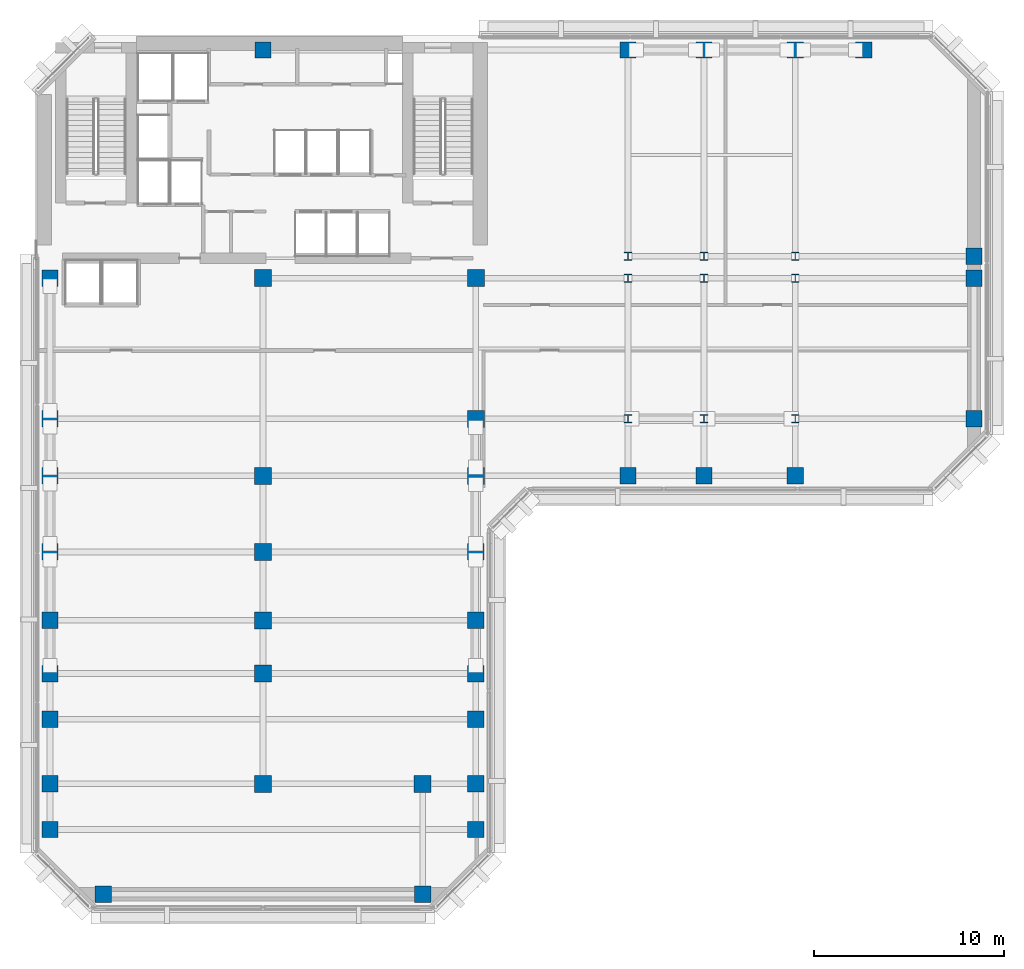
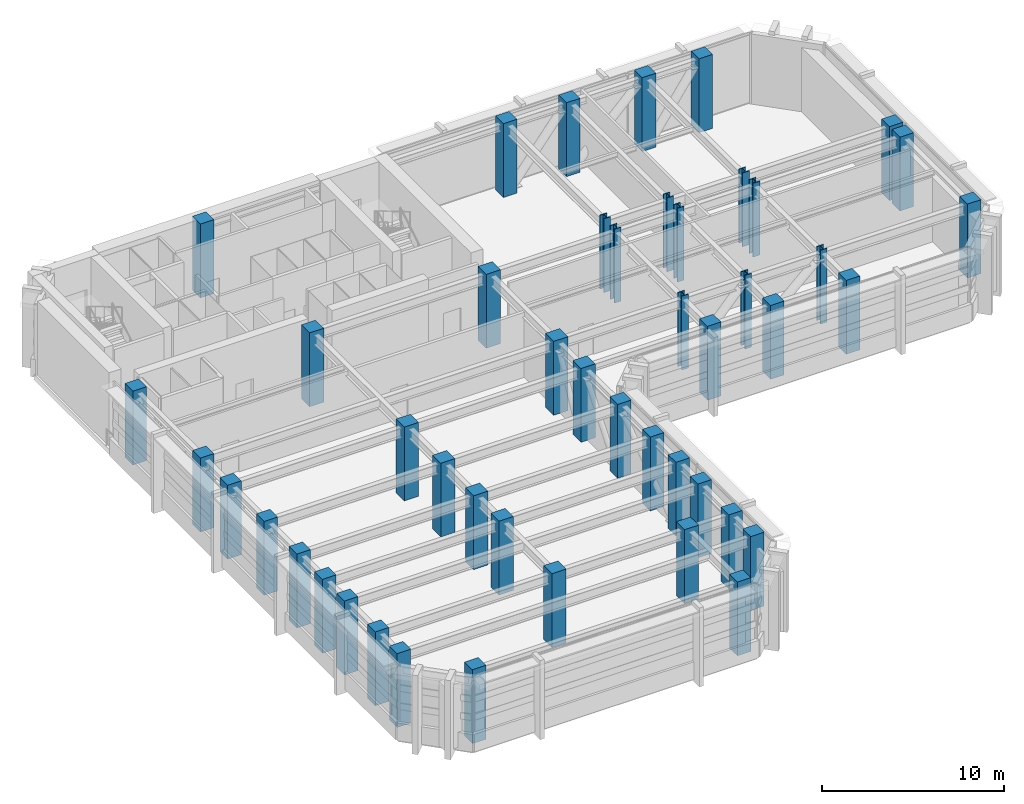
# One storey, part 1 of 12: 47 columns.
"""IFC4 building model written with IfcOpenShell, lengths in metres."""

import ifcopenshell
import ifcopenshell.guid

model = None  # the IFC model being written
_history = None  # IfcOwnerHistory: only IFC2X3 demands one
_inside = {}  # id of a spatial element -> (the spatial element, [elements in it])
_under = {}  # id of a project, library or spatial element -> (it, [spatial elements below it])
_declared = {}  # id of a project -> (the project, [libraries it declares])
_typed = {}  # id of a type object -> (the type object, [elements of that type])
_made_of = {}  # id of a material, layer set ... -> (it, [elements and type objects made of it])


def new_model(schema):
    """Start an empty IFC model of exactly this schema.

    Asked for "IFC4X3", IfcOpenShell would pick the latest addendum, in which some entities
    have other attributes; the version numbers below select the first issue.
    IFC2X3 requires an IfcOwnerHistory on every rooted entity: one is made here for all.
    """
    global model, _history
    if schema == "IFC4X3":
        model = ifcopenshell.file(schema_version=(4, 3, 0, 0))
    else:
        model = ifcopenshell.file(schema=schema)
    _inside.clear()
    _under.clear()
    _declared.clear()
    _typed.clear()
    _made_of.clear()
    _history = None
    if model.schema == "IFC2X3":
        org = make("IfcOrganization", Name="unknown")
        user = make(
            "IfcPersonAndOrganization",
            ThePerson=make("IfcPerson", FamilyName="unknown"),
            TheOrganization=org,
        )
        app = make(
            "IfcApplication",
            ApplicationDeveloper=org,
            Version="unknown",
            ApplicationFullName="unknown",
            ApplicationIdentifier="unknown",
        )
        _history = make(
            "IfcOwnerHistory",
            OwningUser=user,
            OwningApplication=app,
            ChangeAction="ADDED",
            CreationDate=0,
        )
    return model


def make(cls, **values):
    """One entity of the class cls with the attributes given. An attribute that is None is left unset."""
    return model.create_entity(
        cls, **{name: value for name, value in values.items() if value is not None}
    )


def rooted(cls, **values):
    """An entity with a GlobalId (a new one), such as an element, a storey or a relation."""
    return make(cls, GlobalId=ifcopenshell.guid.new(), OwnerHistory=_history, **values)


def si_unit(unit_type, name, prefix=None):
    """IfcSIUnit, for example si_unit("LENGTHUNIT", "METRE", prefix="MILLI")."""
    return make("IfcSIUnit", UnitType=unit_type, Prefix=prefix, Name=name)


def assignment(units):
    """IfcUnitAssignment: the units of a project."""
    return None if units is None else make("IfcUnitAssignment", Units=units)


def point(xyz):
    """IfcCartesianPoint."""
    return None if xyz is None else make("IfcCartesianPoint", Coordinates=xyz)


def direction(xyz):
    """IfcDirection."""
    return None if xyz is None else make("IfcDirection", DirectionRatios=xyz)


def frame(location, z_axis=None, x_axis=None):
    """IfcAxis2Placement3D, a coordinate frame: its origin and axes. An axis left out is left unset."""
    return make(
        "IfcAxis2Placement3D",
        Location=point(location),
        Axis=direction(z_axis),
        RefDirection=direction(x_axis),
    )


def frame_2d(location, x_axis=None):
    """IfcAxis2Placement2D, a coordinate frame in the plane: its origin and x axis."""
    return make(
        "IfcAxis2Placement2D", Location=point(location), RefDirection=direction(x_axis)
    )


def origin():
    """The frame at (0, 0, 0) with its axes left unset."""
    return frame((0.0, 0.0, 0.0))


def origin_2d():
    """The frame at (0, 0) in the plane with its x axis left unset."""
    return frame_2d((0.0, 0.0))


def place(relative_to, where):
    """IfcLocalPlacement: puts the frame where relative to a parent placement (None: the world)."""
    return make(
        "IfcLocalPlacement", PlacementRelTo=relative_to, RelativePlacement=where
    )


def context(
    kind, dimensions, precision=None, world=None, true_north=None, identifier=None
):
    """IfcGeometricRepresentationContext, for example the 3D "Model" context."""
    return make(
        "IfcGeometricRepresentationContext",
        ContextIdentifier=identifier,
        ContextType=kind,
        CoordinateSpaceDimension=dimensions,
        Precision=precision,
        WorldCoordinateSystem=world,
        TrueNorth=true_north,
    )


def subcontext(parent, identifier, kind, view, scale=None):
    """IfcGeometricRepresentationSubContext, for example "Body" below "Model"."""
    return make(
        "IfcGeometricRepresentationSubContext",
        ContextIdentifier=identifier,
        ContextType=kind,
        ParentContext=parent,
        TargetScale=scale,
        TargetView=view,
    )


def project(units=None, contexts=None):
    """IfcProject with its units and contexts."""
    return rooted(
        "IfcProject",
        Name="project",
        RepresentationContexts=contexts,
        UnitsInContext=assignment(units),
    )


def spatial(cls, under=None, at=None, **own):
    """A site, building, storey or space (cls), placed at a placement, below another one or the project."""
    s = rooted(cls, ObjectPlacement=at, **own)
    if under is not None:
        _under.setdefault(under.id(), (under, []))[1].append(s)
    return s


def profile(cls, at=None, kind="AREA", **sizes):
    """A parametric profile (cls). Its sizes go by their IFC names, for example OverallWidth=200.0."""
    return make(cls, ProfileType=kind, Position=at, **sizes)


def rectangle(**sizes):
    """IfcRectangleProfileDef."""
    return profile("IfcRectangleProfileDef", **sizes)


def i_section(**sizes):
    """IfcIShapeProfileDef."""
    return profile("IfcIShapeProfileDef", **sizes)


def extrude(swept, where, along, depth):
    """IfcExtrudedAreaSolid: the profile swept, set in the frame where, extruded along a direction by depth."""
    return make(
        "IfcExtrudedAreaSolid",
        SweptArea=swept,
        Position=where,
        ExtrudedDirection=direction(along),
        Depth=depth,
    )


def shape(context_of_items, identifier, shape_type, items):
    """IfcShapeRepresentation: the items that make up one representation, for example the "Body"."""
    return make(
        "IfcShapeRepresentation",
        ContextOfItems=context_of_items,
        RepresentationIdentifier=identifier,
        RepresentationType=shape_type,
        Items=items,
    )


def material(Name=None, Category=None):
    """IfcMaterial."""
    return make("IfcMaterial", Name=Name, Category=Category)


def material_profile(
    of_material, cross_section, Name=None, Category=None, Priority=None
):
    """IfcMaterialProfile: a cross section and its material."""
    return make(
        "IfcMaterialProfile",
        Name=Name,
        Material=of_material,
        Profile=cross_section,
        Priority=Priority,
        Category=Category,
    )


def profile_set(profiles, Name=None, composite=None):
    """IfcMaterialProfileSet."""
    return make(
        "IfcMaterialProfileSet",
        Name=Name,
        MaterialProfiles=profiles,
        CompositeProfile=composite,
    )


def made_of(thing, what):
    """Note that an element or type object is made of a material, layer set ...; save() writes the relation."""
    if what is not None:
        _made_of.setdefault(what.id(), (what, []))[1].append(thing)
    return thing


def type_object(cls, material=None, **own):
    """A type object (cls), such as IfcWallType, which elements share."""
    return made_of(rooted(cls, **own), material)


def element(
    cls,
    number,
    at=None,
    inside=None,
    cuts=None,
    type_object=None,
    material=None,
    context=None,
    identifier="Body",
    shape_type=None,
    held_by="IfcProductDefinitionShape",
    body=None,
    shapes=None,
    **own,
):
    """One element of the class cls, such as IfcWall. Its Tag is "e" and its number.

    at: its placement. inside: the storey or other place that contains it. cuts: it is an
    opening in that element (IfcRelVoidsElement). A single representation is given by context,
    identifier, shape_type and body (its items); several are given by shapes. held_by: the class
    of the entity that holds the representations. save() writes the other relations.
    """
    e = rooted(cls, Tag="e%d" % number, ObjectPlacement=at, **own)
    if body is not None:
        shapes = [shape(context, identifier, shape_type, body)]
    if shapes is not None:
        e.Representation = make(held_by, Representations=shapes)
    if inside is not None:
        _inside.setdefault(inside.id(), (inside, []))[1].append(e)
    if cuts is not None:
        rooted(
            "IfcRelVoidsElement", RelatingBuildingElement=cuts, RelatedOpeningElement=e
        )
    if type_object is not None:
        _typed.setdefault(type_object.id(), (type_object, []))[1].append(e)
    return made_of(e, material)


def aggregate(whole, parts):
    """IfcRelAggregates: a whole, such as a stair, and the parts it consists of."""
    return rooted("IfcRelAggregates", RelatingObject=whole, RelatedObjects=parts)


def save(model, path):
    """Write the relations noted so far, then the file.

    IfcRelAggregates (storeys below a building ...), IfcRelContainedInSpatialStructure (elements
    in a storey), IfcRelDefinesByType, IfcRelAssociatesMaterial and IfcRelDeclares: one each for
    every whole, place, type object, material and project.
    """
    for whole, parts in _under.values():
        aggregate(whole, parts)
    for where, things in _inside.values():
        rooted(
            "IfcRelContainedInSpatialStructure",
            RelatedElements=things,
            RelatingStructure=where,
        )
    for kind, things in _typed.values():
        rooted("IfcRelDefinesByType", RelatedObjects=things, RelatingType=kind)
    for what, things in _made_of.values():
        rooted("IfcRelAssociatesMaterial", RelatedObjects=things, RelatingMaterial=what)
    for by, libraries in _declared.values():
        rooted("IfcRelDeclares", RelatingContext=by, RelatedDefinitions=libraries)
    model.write(path)


model = new_model("IFC4")

# Units and contexts
model_context = context("Model", 3, precision=1e-05, world=origin(), true_north=direction((0.0, 1.0)))
body_context = subcontext(model_context, "Body", "Model", "MODEL_VIEW")
ifc_project = project(units=[si_unit("LENGTHUNIT", "METRE"), si_unit("AREAUNIT", "SQUARE_METRE"), si_unit("VOLUMEUNIT", "CUBIC_METRE"), si_unit("PLANEANGLEUNIT", "RADIAN"), si_unit("MASSUNIT", "GRAM", prefix="KILO")], contexts=[model_context])

# Site, building, storey
site_placement = place(None, origin())
site = spatial("IfcSite", under=ifc_project, at=site_placement, CompositionType="ELEMENT")
building_placement = place(site_placement, origin())
building = spatial("IfcBuilding", under=site, at=building_placement, Name="Kefirva Bronze Tower", CompositionType="ELEMENT")
storey_placement = place(building_placement, frame((0.0, 0.0, 174.570068359375)))
storey = spatial("IfcBuildingStorey", under=building, at=storey_placement, Name="L42", CompositionType="ELEMENT", Elevation=174.570068359375)

# Columns
ifc_material_1 = material(Name="Concrete C60/75", Category="concrete")
ifc_material_profile_1 = material_profile(ifc_material_1, rectangle(XDim=0.860107421875, YDim=0.860107421875, at=origin_2d()), Name="RC 860x860")
ifc_profile_set_1 = profile_set([ifc_material_profile_1], Name="Concrete C60/75")
column_type_1 = type_object("IfcColumnType", Name="RC Column 860x860 Ext", PredefinedType="COLUMN", material=ifc_profile_set_1)
for number, where, z_axis, x_axis, name in (
    (1, (0.800048828125, 4.199951171875, 0.0), (0.0, 0.0, 1.0), (1.0, 0.0, 0.0), "L42 Column C008_042"),
    (2, (0.800048828125, 6.60009765625, 0.0), (0.0, 0.0, 1.0), (1.0, 0.0, 0.0), "L42 Column C008_066"),
    (3, (0.800048828125, 10.0, 0.0), (0.0, 0.0, 1.0), (1.0, 0.0, 0.0), "L42 Column C008_100"),
    (4, (0.800048828125, 12.39990234375, 0.0), (0.0, 0.0, 1.0), (1.0, 0.0, 0.0), "L42 Column C008_124"),
    (5, (0.800048828125, 15.199951171875, 0.0), (0.0, 0.0, 1.0), (1.0, 0.0, 0.0), "L42 Column C008_152"),
    (6, (0.800048828125, 18.800048828125, 0.0), (0.0, 0.0, 1.0), (1.0, 0.0, 0.0), "L42 Column C008_188"),
    (7, (0.800048828125, 22.800048828125, 0.0), (0.0, 0.0, 1.0), (1.0, 0.0, 0.0), "L42 Column C008_228"),
    (8, (0.800048828125, 25.800048828125, 0.0), (0.0, 0.0, 1.0), (1.0, 0.0, 0.0), "L42 Column C008_258"),
    (9, (0.800048828125, 33.199951171875, 0.0), (0.0, 0.0, 1.0), (1.0, 0.0, 0.0), "L42 Column C008_332"),
    (10, (3.60009765625, 0.800048828125, 0.0), (0.0, 0.0, 1.0), (1.0, 0.0, 0.0), "L42 Column C036_008"),
    (11, (12.0, 45.199951171875, 0.0), (0.0, 0.0, 1.0), (1.0, 0.0, 0.0), "L42 Column C120_452"),
    (12, (20.39990234375, 0.800048828125, 0.0), (0.0, 0.0, 1.0), (1.0, 0.0, 0.0), "L42 Column C204_008"),
    (13, (23.199951171875, 4.199951171875, 0.0), (0.0, 0.0, 1.0), (1.0, 0.0, 0.0), "L42 Column C232_042"),
    (14, (23.199951171875, 6.60009765625, 0.0), (0.0, 0.0, 1.0), (1.0, 0.0, 0.0), "L42 Column C232_066"),
    (15, (23.199951171875, 10.0, 0.0), (0.0, 0.0, 1.0), (1.0, 0.0, 0.0), "L42 Column C232_100"),
    (16, (23.199951171875, 12.39990234375, 0.0), (0.0, 0.0, 1.0), (1.0, 0.0, 0.0), "L42 Column C232_124"),
    (17, (23.199951171875, 15.199951171875, 0.0), (0.0, 0.0, 1.0), (1.0, 0.0, 0.0), "L42 Column C232_152"),
    (18, (23.199951171875, 18.800048828125, 0.0), (0.0, 0.0, 1.0), (1.0, 0.0, 0.0), "L42 Column C232_188"),
    (19, (31.199951171875, 22.800048828125, 0.0), (0.0, 0.0, 1.0), (1.0, 0.0, 0.0), "L42 Column C312_228"),
    (20, (31.199951171875, 45.199951171875, 0.0), (0.0, 0.0, 1.0), (1.0, 0.0, 0.0), "L42 Column C312_452"),
    (21, (35.199951171875, 22.800048828125, 0.0), (0.0, 0.0, 1.0), (1.0, 0.0, 0.0), "L42 Column C352_228"),
    (22, (35.199951171875, 45.199951171875, 0.0), (0.0, 0.0, 1.0), (1.0, 0.0, 0.0), "L42 Column C352_452"),
    (23, (40.0, 22.800048828125, 0.0), (0.0, 0.0, 1.0), (1.0, 0.0, 0.0), "L42 Column C400_228"),
    (24, (40.0, 45.199951171875, 0.0), (0.0, 0.0, 1.0), (1.0, 0.0, 0.0), "L42 Column C400_452"),
    (25, (43.60009765625, 45.199951171875, 0.0), (0.0, 0.0, 1.0), (1.0, 0.0, 0.0), "L42 Column C436_452"),
    (26, (49.39990234375, 25.800048828125, 0.0), (0.0, 0.0, 1.0), (1.0, 0.0, 0.0), "L42 Column C494_258"),
    (27, (49.39990234375, 33.199951171875, 0.0), (0.0, 0.0, 1.0), (1.0, 0.0, 0.0), "L42 Column C494_332"),
    (28, (49.39990234375, 34.35009765625, 0.0), (0.0, 0.0, 1.0), (1.0, 0.0, 0.0), "L42 Column C494_344"),
):
    element("IfcColumn", number, at=place(storey_placement, frame(where, z_axis=z_axis, x_axis=x_axis)), inside=storey, type_object=column_type_1, Name=name, PredefinedType="COLUMN", context=body_context, shape_type="SweptSolid", body=[
        extrude(rectangle(XDim=0.860107421875, YDim=0.860107421875, at=origin_2d()), origin(), (0.0, 0.0, 1.0), 4.949951171875),
    ])
ifc_material_profile_2 = material_profile(ifc_material_1, rectangle(XDim=0.89990234375, YDim=0.89990234375, at=origin_2d()), Name="RC 900x900")
ifc_profile_set_2 = profile_set([ifc_material_profile_2], Name="Concrete C60/75")
column_type_2 = type_object("IfcColumnType", Name="RC Column 900x900 Int", PredefinedType="COLUMN", material=ifc_profile_set_2)
for number, where, z_axis, x_axis, name in (
    (29, (12.0, 6.60009765625, 0.0), (0.0, 0.0, 1.0), (1.0, 0.0, 0.0), "L42 Column C120_066"),
    (30, (12.0, 12.39990234375, 0.0), (0.0, 0.0, 1.0), (1.0, 0.0, 0.0), "L42 Column C120_124"),
    (31, (12.0, 15.199951171875, 0.0), (0.0, 0.0, 1.0), (1.0, 0.0, 0.0), "L42 Column C120_152"),
    (32, (12.0, 18.800048828125, 0.0), (0.0, 0.0, 1.0), (1.0, 0.0, 0.0), "L42 Column C120_188"),
    (33, (12.0, 22.800048828125, 0.0), (0.0, 0.0, 1.0), (1.0, 0.0, 0.0), "L42 Column C120_228"),
    (34, (12.0, 33.199951171875, 0.0), (0.0, 0.0, 1.0), (1.0, 0.0, 0.0), "L42 Column C120_332"),
    (35, (20.39990234375, 6.60009765625, 0.0), (0.0, 0.0, 1.0), (1.0, 0.0, 0.0), "L42 Column C204_066"),
    (36, (23.199951171875, 22.800048828125, 0.0), (0.0, 0.0, 1.0), (1.0, 0.0, 0.0), "L42 Column C232_228"),
    (37, (23.199951171875, 25.800048828125, 0.0), (0.0, 0.0, 1.0), (1.0, 0.0, 0.0), "L42 Column C232_258"),
    (38, (23.199951171875, 33.199951171875, 0.0), (0.0, 0.0, 1.0), (1.0, 0.0, 0.0), "L42 Column C232_332"),
):
    element("IfcColumn", number, at=place(storey_placement, frame(where, z_axis=z_axis, x_axis=x_axis)), inside=storey, type_object=column_type_2, Name=name, PredefinedType="COLUMN", context=body_context, shape_type="SweptSolid", body=[
        extrude(rectangle(XDim=0.89990234375, YDim=0.89990234375, at=origin_2d()), origin(), (0.0, 0.0, 1.0), 4.949951171875),
    ])
ifc_material_2 = material(Name="Steel S460", Category="steel")
ifc_material_profile_3 = material_profile(ifc_material_2, i_section(OverallWidth=0.41796875, OverallDepth=0.455078125, WebThickness=0.031982421875, FlangeThickness=0.051025390625, at=origin_2d()), Name="HD 400x551")
ifc_profile_set_3 = profile_set([ifc_material_profile_3], Name="Steel S460")
column_type_3 = type_object("IfcColumnType", Name="Steel Column HD 400x551", PredefinedType="COLUMN", material=ifc_profile_set_3)
for number, where, z_axis, x_axis, name in (
    (39, (31.199951171875, 25.800048828125, 0.0), (0.0, 0.0, 1.0), (1.0, 0.0, 0.0), "L42 Column C312_258"),
    (40, (31.199951171875, 33.199951171875, 0.0), (0.0, 0.0, 1.0), (1.0, 0.0, 0.0), "L42 Column C312_332"),
    (41, (31.199951171875, 34.35009765625, 0.0), (0.0, 0.0, 1.0), (1.0, 0.0, 0.0), "L42 Column C312_344"),
    (42, (35.199951171875, 25.800048828125, 0.0), (0.0, 0.0, 1.0), (1.0, 0.0, 0.0), "L42 Column C352_258"),
    (43, (35.199951171875, 33.199951171875, 0.0), (0.0, 0.0, 1.0), (1.0, 0.0, 0.0), "L42 Column C352_332"),
    (44, (35.199951171875, 34.35009765625, 0.0), (0.0, 0.0, 1.0), (1.0, 0.0, 0.0), "L42 Column C352_344"),
    (45, (40.0, 25.800048828125, 0.0), (0.0, 0.0, 1.0), (1.0, 0.0, 0.0), "L42 Column C400_258"),
    (46, (40.0, 33.199951171875, 0.0), (0.0, 0.0, 1.0), (1.0, 0.0, 0.0), "L42 Column C400_332"),
    (47, (40.0, 34.35009765625, 0.0), (0.0, 0.0, 1.0), (1.0, 0.0, 0.0), "L42 Column C400_344"),
):
    element("IfcColumn", number, at=place(storey_placement, frame(where, z_axis=z_axis, x_axis=x_axis)), inside=storey, type_object=column_type_3, Name=name, PredefinedType="COLUMN", context=body_context, shape_type="SweptSolid", body=[
        extrude(i_section(OverallWidth=0.41796875, OverallDepth=0.455078125, WebThickness=0.031982421875, FlangeThickness=0.051025390625, at=origin_2d()), origin(), (0.0, 0.0, 1.0), 4.949951171875),
    ])

save(model, "model.ifc")
